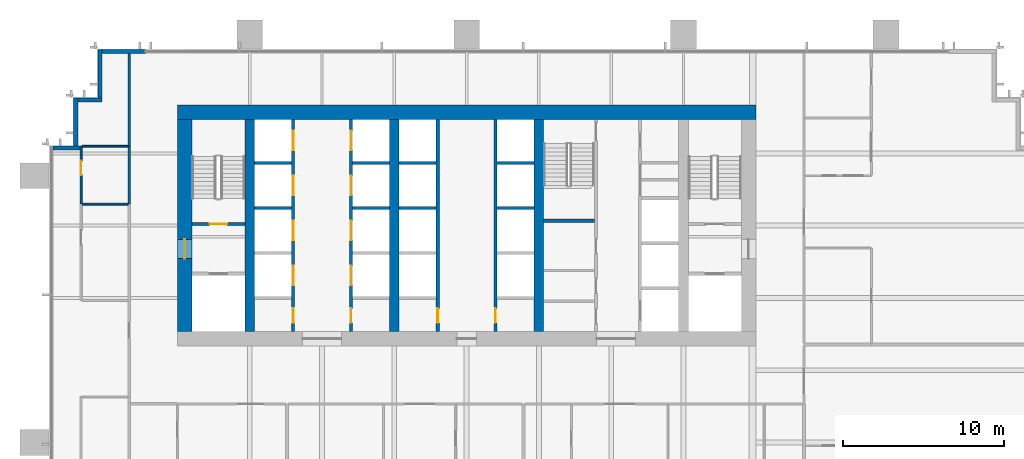
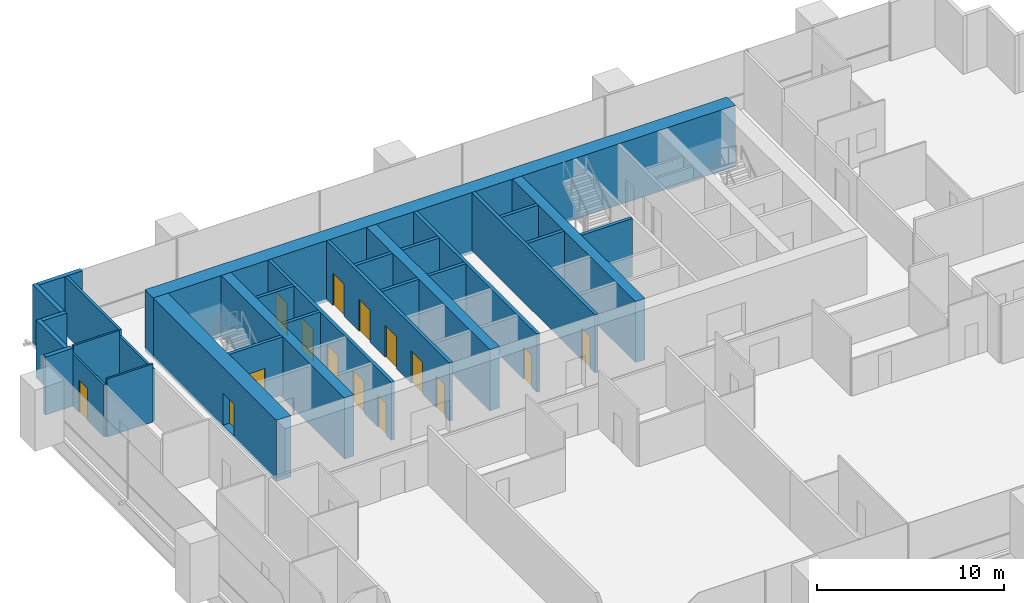
# One storey, part 14 of 17: 29 walls, 15 doors, 15 openings.
"""IFC4 building model written with IfcOpenShell, lengths in metres."""

from ifc_helpers import new_model, si_unit, direction, frame, frame_2d, origin, place, context, subcontext, project, spatial, rectangle, extrude, material, layer, layer_set, type_object, element, fill, save


model = new_model("IFC4")

# Units and contexts
model_context = context("Model", 3, precision=1e-05, world=origin(), true_north=direction((0.0, 1.0)))
body_context = subcontext(model_context, "Body", "Model", "MODEL_VIEW")
ifc_project = project(units=[si_unit("LENGTHUNIT", "METRE"), si_unit("AREAUNIT", "SQUARE_METRE"), si_unit("VOLUMEUNIT", "CUBIC_METRE"), si_unit("PLANEANGLEUNIT", "RADIAN"), si_unit("MASSUNIT", "GRAM", prefix="KILO")], contexts=[model_context])

# Site, building, storey
site_placement = place(None, origin())
site = spatial("IfcSite", under=ifc_project, at=site_placement, CompositionType="ELEMENT")
building_placement = place(site_placement, origin())
building = spatial("IfcBuilding", under=site, at=building_placement, Name="Rattan Terrace Tower", CompositionType="ELEMENT")
storey_placement = place(building_placement, frame((0.0, 0.0, 83.699951171875)))
storey = spatial("IfcBuildingStorey", under=building, at=storey_placement, Name="L18", CompositionType="ELEMENT", Elevation=83.699951171875)

# Wall, opening, door
ifc_material_1 = material(Name="Gypsum board partition")
ifc_layer_1 = layer(ifc_material_1, 0.199951171875)
ifc_layer_set_1 = layer_set([ifc_layer_1], Name="Core partition 200")
wall_type_1 = type_object("IfcWallType", Name="Core partition 200", PredefinedType="PARTITIONING", material=ifc_layer_set_1)
wall_1_placement = place(storey_placement, frame((-17.10009765625, 0.10009765625, 0.0), z_axis=(0.0, 0.0, 1.0), x_axis=(1.0, 0.0, 0.0)))
wall_1 = element("IfcWall", 1, at=wall_1_placement, inside=storey, type_object=wall_type_1, Name="Stair enclosure wall", PredefinedType="PARTITIONING", context=body_context, shape_type="SweptSolid", body=[
    extrude(rectangle(XDim=3.300048828125, YDim=0.199951171875, at=frame_2d((1.64990234375, 0.0))), origin(), (0.0, 0.0, 1.0), 3.800048828125),
])
opening_1_placement = place(wall_1_placement, frame((1.10009765625, 0.0, 0.0)))
opening_1 = element("IfcOpeningElement", 2, at=opening_1_placement, cuts=wall_1, Name="Opening L18-D002", PredefinedType="OPENING", context=body_context, shape_type="SweptSolid", body=[
    extrude(rectangle(XDim=1.10009765625, YDim=2.10009765625, at=frame_2d((0.550048828125, 1.050048828125))), frame((0.0, 0.110595703125, 0.0), z_axis=(0.0, -1.0, 0.0), x_axis=(1.0, 0.0, 0.0)), (0.0, 0.0, 1.0), 0.220947265625),
])
ifc_material_2 = material(Name="Hollow-metal fire door leaf")
door_type_1 = type_object("IfcDoorType", Name="Core stair door 1100", OperationType="NOTDEFINED", PredefinedType="DOOR", material=ifc_material_2)
door_1_placement = place(opening_1_placement, origin())
door_1 = element("IfcDoor", 3, at=door_1_placement, inside=storey, type_object=door_type_1, Name="Door L18-D002", OperationType="SINGLE_SWING_LEFT", OverallHeight=2.10009765625, OverallWidth=1.10009765625, PredefinedType="DOOR", context=body_context, shape_type="SweptSolid", body=[
    extrude(rectangle(XDim=1.10009765625, YDim=2.10009765625, at=frame_2d((0.550048828125, 1.050048828125))), frame((0.0, 0.02490234375, 0.0), z_axis=(0.0, -1.0, 0.0), x_axis=(1.0, 0.0, 0.0)), (0.0, 0.0, 1.0), 0.050048828125),
])
fill(opening_1, door_1)

# Walls
wall_2_placement = place(storey_placement, frame((4.800048828125, 0.300048828125, 0.0), z_axis=(0.0, 0.0, 1.0), x_axis=(1.0, 0.0, 0.0)))
element("IfcWall", 4, at=wall_2_placement, inside=storey, type_object=wall_type_1, Name="Stair enclosure wall", PredefinedType="PARTITIONING", context=body_context, shape_type="SweptSolid", body=[
    extrude(rectangle(XDim=3.14990234375, YDim=0.199951171875, at=frame_2d((1.574951171875, 0.0))), origin(), (0.0, 0.0, 1.0), 3.800048828125),
])
ifc_material_3 = material(Name="Concrete C70/85", Category="concrete")
ifc_layer_2 = layer(ifc_material_3, 0.89990234375)
ifc_layer_set_2 = layer_set([ifc_layer_2], Name="Core ring wall 900 C70/85")
wall_type_2 = type_object("IfcWallType", Name="Core ring wall 900 C70/85", PredefinedType="SHEAR", material=ifc_layer_set_2)
wall_3_placement = place(storey_placement, frame((-18.0, 7.050048828125, -0.199951171875), z_axis=(0.0, 0.0, 1.0), x_axis=(1.0, 0.0, 0.0)))
element("IfcWall", 5, at=wall_3_placement, inside=storey, type_object=wall_type_2, Name="Rear core wall north", PredefinedType="SHEAR", context=body_context, shape_type="SweptSolid", body=[
    extrude(rectangle(XDim=36.0, YDim=0.89990234375, at=frame_2d((18.0, 0.0))), origin(), (0.0, 0.0, 1.0), 4.0),
])

# Wall, opening, door
wall_4_placement = place(storey_placement, frame((-17.550048828125, -6.60009765625, -0.199951171875), z_axis=(0.0, 0.0, 1.0), x_axis=(0.0, 1.0, 0.0)))
wall_4 = element("IfcWall", 6, at=wall_4_placement, inside=storey, type_object=wall_type_2, Name="Rear core wall west", PredefinedType="SHEAR", context=body_context, shape_type="SweptSolid", body=[
    extrude(rectangle(XDim=13.2001953125, YDim=0.89990234375, at=frame_2d((6.60009765625, 0.0))), origin(), (0.0, 0.0, 1.0), 4.0),
])
opening_2_placement = place(wall_4_placement, frame((4.550048828125, 0.0, 0.199951171875)))
opening_2 = element("IfcOpeningElement", 7, at=opening_2_placement, cuts=wall_4, Name="Opening L18-D001", PredefinedType="OPENING", context=body_context, shape_type="SweptSolid", body=[
    extrude(rectangle(XDim=1.199951171875, YDim=2.10009765625, at=frame_2d((0.60009765625, 1.050048828125))), frame((0.0, 0.46044921875, 0.0), z_axis=(0.0, -1.0, 0.0), x_axis=(1.0, 0.0, 0.0)), (0.0, 0.0, 1.0), 0.9208984375),
])
ifc_material_4 = material(Name="Hollow-metal fire door leaf")
door_type_2 = type_object("IfcDoorType", Name="Core fire-fighting lobby door 1200", OperationType="NOTDEFINED", PredefinedType="DOOR", material=ifc_material_4)
door_2_placement = place(opening_2_placement, origin())
door_2 = element("IfcDoor", 8, at=door_2_placement, inside=storey, type_object=door_type_2, Name="Door L18-D001", OperationType="SINGLE_SWING_RIGHT", OverallHeight=2.10009765625, OverallWidth=1.199951171875, PredefinedType="DOOR", context=body_context, shape_type="SweptSolid", body=[
    extrude(rectangle(XDim=1.199951171875, YDim=2.10009765625, at=frame_2d((0.60009765625, 1.050048828125))), frame((0.0, 0.02490234375, 0.0), z_axis=(0.0, -1.0, 0.0), x_axis=(1.0, 0.0, 0.0)), (0.0, 0.0, 1.0), 0.050048828125),
])
fill(opening_2, door_2)

# Walls
ifc_material_5 = material(Name="Concrete C70/85", Category="concrete")
ifc_layer_3 = layer(ifc_material_5, 0.60009765625)
ifc_layer_set_3 = layer_set([ifc_layer_3], Name="Core spine wall 600 C70/85")
wall_type_3 = type_object("IfcWallType", Name="Core spine wall 600 C70/85", PredefinedType="SHEAR", material=ifc_layer_set_3)
for number, where, z_axis, x_axis, name in (
    (9, (-13.5, -6.60009765625, -0.199951171875), (0.0, 0.0, 1.0), (0.0, 1.0, 0.0), "Core spine wall 1"),
    (10, (-4.5, -6.60009765625, -0.199951171875), (0.0, 0.0, 1.0), (0.0, 1.0, 0.0), "Core spine wall 2"),
    (11, (4.5, -6.60009765625, -0.199951171875), (0.0, 0.0, 1.0), (0.0, 1.0, 0.0), "Core spine wall 3"),
):
    element("IfcWall", number, at=place(storey_placement, frame(where, z_axis=z_axis, x_axis=x_axis)), inside=storey, type_object=wall_type_3, Name=name, PredefinedType="SHEAR", context=body_context, shape_type="SweptSolid", body=[
        extrude(rectangle(XDim=13.2001953125, YDim=0.60009765625, at=frame_2d((6.60009765625, 0.0))), origin(), (0.0, 0.0, 1.0), 4.0),
    ])
ifc_material_6 = material(Name="Insulated aluminium-clad stud wall", Category="aluminium")
ifc_layer_4 = layer(ifc_material_6, 0.25)
ifc_layer_set_4 = layer_set([ifc_layer_4], Name="Facade Riser Wall 250")
wall_type_4 = type_object("IfcWallType", Name="Facade Riser Wall 250", PredefinedType="SOLIDWALL", material=ifc_layer_set_4)
wall_5_placement = place(storey_placement, frame((-20.0, 10.830078125, 0.0), z_axis=(0.0, 0.0, 1.0), x_axis=(-1.0, 0.0, 0.0)))
element("IfcWall", 12, at=wall_5_placement, inside=storey, type_object=wall_type_4, Name="Riser wall L18-11", PredefinedType="SOLIDWALL", context=body_context, shape_type="SweptSolid", body=[
    extrude(rectangle(XDim=2.705078125, YDim=0.25, at=frame_2d((1.3525390625, 0.0))), origin(), (0.0, 0.0, 1.0), 3.800048828125),
])
wall_6_placement = place(storey_placement, frame((-22.830078125, 10.955078125, 0.0), z_axis=(0.0, 0.0, 1.0), x_axis=(0.0, -1.0, 0.0)))
element("IfcWall", 13, at=wall_6_placement, inside=storey, type_object=wall_type_4, Name="Riser wall L18-12", PredefinedType="SOLIDWALL", context=body_context, shape_type="SweptSolid", body=[
    extrude(rectangle(XDim=3.0, YDim=0.25, at=frame_2d((1.5, 0.0))), origin(), (0.0, 0.0, 1.0), 3.800048828125),
])
wall_7_placement = place(storey_placement, frame((-22.705078125, 7.830078125, 0.0), z_axis=(0.0, 0.0, 1.0), x_axis=(-1.0, 0.0, 0.0)))
element("IfcWall", 14, at=wall_7_placement, inside=storey, type_object=wall_type_4, Name="Riser wall L18-13", PredefinedType="SOLIDWALL", context=body_context, shape_type="SweptSolid", body=[
    extrude(rectangle(XDim=1.5, YDim=0.25, at=frame_2d((0.75, 0.0))), origin(), (0.0, 0.0, 1.0), 3.800048828125),
])
wall_8_placement = place(storey_placement, frame((-24.330078125, 7.955078125, 0.0), z_axis=(0.0, 0.0, 1.0), x_axis=(0.0, -1.0, 0.0)))
element("IfcWall", 15, at=wall_8_placement, inside=storey, type_object=wall_type_4, Name="Riser wall L18-14", PredefinedType="SOLIDWALL", context=body_context, shape_type="SweptSolid", body=[
    extrude(rectangle(XDim=3.0, YDim=0.25, at=frame_2d((1.5, 0.0))), origin(), (0.0, 0.0, 1.0), 3.800048828125),
])
wall_9_placement = place(storey_placement, frame((-24.054931640625, 4.830078125, 0.0), z_axis=(0.0, 0.0, 1.0), x_axis=(-1.0, 0.0, 0.0)))
element("IfcWall", 16, at=wall_9_placement, inside=storey, type_object=wall_type_4, Name="Riser wall L18-15", PredefinedType="SOLIDWALL", context=body_context, shape_type="SweptSolid", body=[
    extrude(rectangle(XDim=1.695068359375, YDim=0.25, at=frame_2d((0.84765625, 0.0))), origin(), (0.0, 0.0, 1.0), 3.800048828125),
])
ifc_material_7 = material(Name="Gypsum board partition on steel studs, fire rated", Category="steel")
ifc_layer_5 = layer(ifc_material_7, 0.14990234375)
ifc_layer_set_5 = layer_set([ifc_layer_5], Name="Floors Tenancy Wall 150")
wall_type_5 = type_object("IfcWallType", Name="Floors Tenancy Wall 150", PredefinedType="PARTITIONING", material=ifc_layer_set_5)
wall_10_placement = place(storey_placement, frame((-21.0, 4.919921875, 0.0), z_axis=(0.0, 0.0, 1.0), x_axis=(0.0, 1.0, 0.0)))
element("IfcWall", 17, at=wall_10_placement, inside=storey, type_object=wall_type_5, Name="pt-L18-002", PredefinedType="PARTITIONING", context=body_context, shape_type="SweptSolid", body=[
    extrude(rectangle(XDim=5.820068359375, YDim=0.14990234375, at=frame_2d((2.91015625, 0.0))), origin(), (0.0, 0.0, 1.0), 3.800048828125),
])
wall_11_placement = place(storey_placement, frame((-21.0, 1.360107421875, 0.0), z_axis=(0.0, 0.0, 1.0), x_axis=(0.0, 1.0, 0.0)))
element("IfcWall", 18, at=wall_11_placement, inside=storey, type_object=wall_type_5, Name="pt-L18-005", PredefinedType="PARTITIONING", context=body_context, shape_type="SweptSolid", body=[
    extrude(rectangle(XDim=3.559814453125, YDim=0.14990234375, at=frame_2d((1.77978515625, 0.0))), origin(), (0.0, 0.0, 1.0), 3.400146484375),
])

# Wall, opening, door
ifc_material_8 = material(Name="Moisture resistant gypsum board partition on steel studs with service cavity", Category="steel")
ifc_layer_6 = layer(ifc_material_8, 0.1201171875)
ifc_layer_set_6 = layer_set([ifc_layer_6], Name="Floors Wet Wall 120")
wall_type_6 = type_object("IfcWallType", Name="Floors Wet Wall 120", PredefinedType="PARTITIONING", material=ifc_layer_set_6)
wall_12_placement = place(storey_placement, frame((-24.0, 4.93994140625, 0.0), z_axis=(0.0, 0.0, 1.0), x_axis=(0.0, -1.0, 0.0)))
wall_12 = element("IfcWall", 19, at=wall_12_placement, inside=storey, type_object=wall_type_6, Name="pt-L18-027", PredefinedType="PARTITIONING", context=body_context, shape_type="SweptSolid", body=[
    extrude(rectangle(XDim=3.579833984375, YDim=0.1201171875, at=frame_2d((1.7900390625, 0.0))), origin(), (0.0, 0.0, 1.0), 3.400146484375),
])
opening_3_placement = place(wall_12_placement, frame((0.904052734375, 0.0, 0.0)))
opening_3 = element("IfcOpeningElement", 20, at=opening_3_placement, cuts=wall_12, Name="Opening L18-D105", PredefinedType="OPENING", context=body_context, shape_type="SweptSolid", body=[
    extrude(rectangle(XDim=0.89990234375, YDim=2.10009765625, at=frame_2d((0.449951171875, 1.050048828125))), frame((0.0, 0.070556640625, 0.0), z_axis=(0.0, -1.0, 0.0), x_axis=(1.0, 0.0, 0.0)), (0.0, 0.0, 1.0), 0.14111328125),
])
ifc_material_9 = material(Name="Solid core timber door, painted", Category="wood")
door_type_3 = type_object("IfcDoorType", Name="Floors Door 900x2100", OperationType="NOTDEFINED", PredefinedType="DOOR", material=ifc_material_9)
door_3_placement = place(opening_3_placement, origin())
door_3 = element("IfcDoor", 21, at=door_3_placement, inside=storey, type_object=door_type_3, Name="d-L18-105", OperationType="SINGLE_SWING_LEFT", OverallHeight=2.10009765625, OverallWidth=0.89990234375, PredefinedType="DOOR", context=body_context, shape_type="SweptSolid", body=[
    extrude(rectangle(XDim=0.89990234375, YDim=2.10009765625, at=frame_2d((0.449951171875, 1.050048828125))), frame((0.0, 0.02490234375, 0.0), z_axis=(0.0, -1.0, 0.0), x_axis=(1.0, 0.0, 0.0)), (0.0, 0.0, 1.0), 0.050048828125),
])
fill(opening_3, door_3)

# Walls
for number, where, z_axis, x_axis, name in (
    (22, (-21.074951171875, 4.93994140625, 0.0), (0.0, 0.0, 1.0), (-1.0, 0.0, 0.0), "pt-L18-028"),
    (23, (-23.93994140625, 1.340087890625, 0.0), (0.0, 0.0, 1.0), (1.0, 0.0, 0.0), "pt-L18-036"),
):
    element("IfcWall", number, at=place(storey_placement, frame(where, z_axis=z_axis, x_axis=x_axis)), inside=storey, type_object=wall_type_6, Name=name, PredefinedType="PARTITIONING", context=body_context, shape_type="SweptSolid", body=[
        extrude(rectangle(XDim=2.864990234375, YDim=0.1201171875, at=frame_2d((1.4326171875, 0.0))), origin(), (0.0, 0.0, 1.0), 3.800048828125),
    ])

# Wall, openings, doors
ifc_material_10 = material(Name="Gypsum shaft wall system")
ifc_layer_7 = layer(ifc_material_10, 0.199951171875)
ifc_layer_set_7 = layer_set([ifc_layer_7], Name="Lift shaft wall 200")
wall_type_7 = type_object("IfcWallType", Name="Lift shaft wall 200", PredefinedType="PARTITIONING", material=ifc_layer_set_7)
wall_13_placement = place(storey_placement, frame((-10.800048828125, -6.60009765625, 0.0), z_axis=(0.0, 0.0, 1.0), x_axis=(0.0, 1.0, 0.0)))
wall_13 = element("IfcWall", 24, at=wall_13_placement, inside=storey, type_object=wall_type_7, Name="Lift shaft front wall", PredefinedType="PARTITIONING", context=body_context, shape_type="SweptSolid", body=[
    extrude(rectangle(XDim=13.2001953125, YDim=0.199951171875, at=frame_2d((6.60009765625, 0.0))), origin(), (0.0, 0.0, 1.0), 3.800048828125),
])
opening_4_placement = place(wall_13_placement, frame((0.550048828125, 0.0, 0.0)))
opening_4 = element("IfcOpeningElement", 25, at=opening_4_placement, cuts=wall_13, Name="Opening L18-D005", PredefinedType="OPENING", context=body_context, shape_type="SweptSolid", body=[
    extrude(rectangle(XDim=0.89990234375, YDim=2.10009765625, at=frame_2d((0.449951171875, 1.050048828125))), frame((0.0, 0.110595703125, 0.0), z_axis=(0.0, -1.0, 0.0), x_axis=(1.0, 0.0, 0.0)), (0.0, 0.0, 1.0), 0.220947265625),
])
opening_5_placement = place(wall_13_placement, frame((2.89990234375, 0.0, 0.0)))
opening_5 = element("IfcOpeningElement", 26, at=opening_5_placement, cuts=wall_13, Name="Opening L18-LD-LR1", PredefinedType="OPENING", context=body_context, shape_type="SweptSolid", body=[
    extrude(rectangle(XDim=1.199951171875, YDim=2.10009765625, at=frame_2d((0.60009765625, 1.050048828125))), frame((0.0, 0.110595703125, 0.0), z_axis=(0.0, -1.0, 0.0), x_axis=(1.0, 0.0, 0.0)), (0.0, 0.0, 1.0), 0.220947265625),
])
opening_6_placement = place(wall_13_placement, frame((5.699951171875, 0.0, 0.0)))
opening_6 = element("IfcOpeningElement", 27, at=opening_6_placement, cuts=wall_13, Name="Opening L18-LD-LR2", PredefinedType="OPENING", context=body_context, shape_type="SweptSolid", body=[
    extrude(rectangle(XDim=1.199951171875, YDim=2.10009765625, at=frame_2d((0.60009765625, 1.050048828125))), frame((0.0, 0.110595703125, 0.0), z_axis=(0.0, -1.0, 0.0), x_axis=(1.0, 0.0, 0.0)), (0.0, 0.0, 1.0), 0.220947265625),
])
opening_7_placement = place(wall_13_placement, frame((8.5, 0.0, 0.0)))
opening_7 = element("IfcOpeningElement", 28, at=opening_7_placement, cuts=wall_13, Name="Opening L18-LD-LR3", PredefinedType="OPENING", context=body_context, shape_type="SweptSolid", body=[
    extrude(rectangle(XDim=1.199951171875, YDim=2.10009765625, at=frame_2d((0.60009765625, 1.050048828125))), frame((0.0, 0.110595703125, 0.0), z_axis=(0.0, -1.0, 0.0), x_axis=(1.0, 0.0, 0.0)), (0.0, 0.0, 1.0), 0.220947265625),
])
opening_8_placement = place(wall_13_placement, frame((11.300048828125, 0.0, 0.0)))
opening_8 = element("IfcOpeningElement", 29, at=opening_8_placement, cuts=wall_13, Name="Opening L18-LD-LR4", PredefinedType="OPENING", context=body_context, shape_type="SweptSolid", body=[
    extrude(rectangle(XDim=1.199951171875, YDim=2.10009765625, at=frame_2d((0.60009765625, 1.050048828125))), frame((0.0, 0.110595703125, 0.0), z_axis=(0.0, -1.0, 0.0), x_axis=(1.0, 0.0, 0.0)), (0.0, 0.0, 1.0), 0.220947265625),
])
ifc_material_11 = material(Name="Brushed stainless landing door panel")
door_type_4 = type_object("IfcDoorType", Name="Core lift landing door 1200", OperationType="DOUBLE_DOOR_SLIDING", PredefinedType="DOOR", material=ifc_material_11)
door_4_placement = place(opening_5_placement, origin())
door_4 = element("IfcDoor", 30, at=door_4_placement, inside=storey, type_object=door_type_4, Name="Door L18-LD-LR1", OperationType="DOUBLE_DOOR_SLIDING", OverallHeight=2.10009765625, OverallWidth=1.199951171875, PredefinedType="DOOR", context=body_context, shape_type="SweptSolid", body=[
    extrude(rectangle(XDim=1.199951171875, YDim=2.10009765625, at=frame_2d((0.60009765625, 1.050048828125))), frame((0.0, 0.02490234375, 0.0), z_axis=(0.0, -1.0, 0.0), x_axis=(1.0, 0.0, 0.0)), (0.0, 0.0, 1.0), 0.050048828125),
])
fill(opening_5, door_4)
door_5_placement = place(opening_6_placement, origin())
door_5 = element("IfcDoor", 31, at=door_5_placement, inside=storey, type_object=door_type_4, Name="Door L18-LD-LR2", OperationType="DOUBLE_DOOR_SLIDING", OverallHeight=2.10009765625, OverallWidth=1.199951171875, PredefinedType="DOOR", context=body_context, shape_type="SweptSolid", body=[
    extrude(rectangle(XDim=1.199951171875, YDim=2.10009765625, at=frame_2d((0.60009765625, 1.050048828125))), frame((0.0, 0.02490234375, 0.0), z_axis=(0.0, -1.0, 0.0), x_axis=(1.0, 0.0, 0.0)), (0.0, 0.0, 1.0), 0.050048828125),
])
fill(opening_6, door_5)
door_6_placement = place(opening_7_placement, origin())
door_6 = element("IfcDoor", 32, at=door_6_placement, inside=storey, type_object=door_type_4, Name="Door L18-LD-LR3", OperationType="DOUBLE_DOOR_SLIDING", OverallHeight=2.10009765625, OverallWidth=1.199951171875, PredefinedType="DOOR", context=body_context, shape_type="SweptSolid", body=[
    extrude(rectangle(XDim=1.199951171875, YDim=2.10009765625, at=frame_2d((0.60009765625, 1.050048828125))), frame((0.0, 0.02490234375, 0.0), z_axis=(0.0, -1.0, 0.0), x_axis=(1.0, 0.0, 0.0)), (0.0, 0.0, 1.0), 0.050048828125),
])
fill(opening_7, door_6)
door_7_placement = place(opening_8_placement, origin())
door_7 = element("IfcDoor", 33, at=door_7_placement, inside=storey, type_object=door_type_4, Name="Door L18-LD-LR4", OperationType="DOUBLE_DOOR_SLIDING", OverallHeight=2.10009765625, OverallWidth=1.199951171875, PredefinedType="DOOR", context=body_context, shape_type="SweptSolid", body=[
    extrude(rectangle(XDim=1.199951171875, YDim=2.10009765625, at=frame_2d((0.60009765625, 1.050048828125))), frame((0.0, 0.02490234375, 0.0), z_axis=(0.0, -1.0, 0.0), x_axis=(1.0, 0.0, 0.0)), (0.0, 0.0, 1.0), 0.050048828125),
])
fill(opening_8, door_7)
ifc_material_12 = material(Name="Hollow-metal fire door leaf")
door_type_5 = type_object("IfcDoorType", Name="Core riser door 900", OperationType="NOTDEFINED", PredefinedType="DOOR", material=ifc_material_12)
door_8_placement = place(opening_4_placement, origin())
door_8 = element("IfcDoor", 34, at=door_8_placement, inside=storey, type_object=door_type_5, Name="Door L18-D005", OperationType="SINGLE_SWING_RIGHT", OverallHeight=2.10009765625, OverallWidth=0.89990234375, PredefinedType="DOOR", context=body_context, shape_type="SweptSolid", body=[
    extrude(rectangle(XDim=0.89990234375, YDim=2.10009765625, at=frame_2d((0.449951171875, 1.050048828125))), frame((0.0, 0.02490234375, 0.0), z_axis=(0.0, -1.0, 0.0), x_axis=(1.0, 0.0, 0.0)), (0.0, 0.0, 1.0), 0.050048828125),
])
fill(opening_4, door_8)

wall_14_placement = place(storey_placement, frame((-7.199951171875, -6.60009765625, 0.0), z_axis=(0.0, 0.0, 1.0), x_axis=(0.0, 1.0, 0.0)))
wall_14 = element("IfcWall", 35, at=wall_14_placement, inside=storey, type_object=wall_type_7, Name="Lift shaft front wall", PredefinedType="PARTITIONING", context=body_context, shape_type="SweptSolid", body=[
    extrude(rectangle(XDim=13.2001953125, YDim=0.199951171875, at=frame_2d((6.60009765625, 0.0))), origin(), (0.0, 0.0, 1.0), 3.800048828125),
])
opening_9_placement = place(wall_14_placement, frame((0.550048828125, 0.0, 0.0)))
opening_9 = element("IfcOpeningElement", 36, at=opening_9_placement, cuts=wall_14, Name="Opening L18-D006", PredefinedType="OPENING", context=body_context, shape_type="SweptSolid", body=[
    extrude(rectangle(XDim=0.89990234375, YDim=2.10009765625, at=frame_2d((0.449951171875, 1.050048828125))), frame((0.0, 0.110595703125, 0.0), z_axis=(0.0, -1.0, 0.0), x_axis=(1.0, 0.0, 0.0)), (0.0, 0.0, 1.0), 0.220947265625),
])
opening_10_placement = place(wall_14_placement, frame((2.89990234375, 0.0, 0.0)))
opening_10 = element("IfcOpeningElement", 37, at=opening_10_placement, cuts=wall_14, Name="Opening L18-LD-LR5", PredefinedType="OPENING", context=body_context, shape_type="SweptSolid", body=[
    extrude(rectangle(XDim=1.199951171875, YDim=2.10009765625, at=frame_2d((0.60009765625, 1.050048828125))), frame((0.0, 0.110595703125, 0.0), z_axis=(0.0, -1.0, 0.0), x_axis=(1.0, 0.0, 0.0)), (0.0, 0.0, 1.0), 0.220947265625),
])
opening_11_placement = place(wall_14_placement, frame((5.699951171875, 0.0, 0.0)))
opening_11 = element("IfcOpeningElement", 38, at=opening_11_placement, cuts=wall_14, Name="Opening L18-LD-LR6", PredefinedType="OPENING", context=body_context, shape_type="SweptSolid", body=[
    extrude(rectangle(XDim=1.199951171875, YDim=2.10009765625, at=frame_2d((0.60009765625, 1.050048828125))), frame((0.0, 0.110595703125, 0.0), z_axis=(0.0, -1.0, 0.0), x_axis=(1.0, 0.0, 0.0)), (0.0, 0.0, 1.0), 0.220947265625),
])
opening_12_placement = place(wall_14_placement, frame((8.5, 0.0, 0.0)))
opening_12 = element("IfcOpeningElement", 39, at=opening_12_placement, cuts=wall_14, Name="Opening L18-LD-LR7", PredefinedType="OPENING", context=body_context, shape_type="SweptSolid", body=[
    extrude(rectangle(XDim=1.199951171875, YDim=2.10009765625, at=frame_2d((0.60009765625, 1.050048828125))), frame((0.0, 0.110595703125, 0.0), z_axis=(0.0, -1.0, 0.0), x_axis=(1.0, 0.0, 0.0)), (0.0, 0.0, 1.0), 0.220947265625),
])
opening_13_placement = place(wall_14_placement, frame((11.300048828125, 0.0, 0.0)))
opening_13 = element("IfcOpeningElement", 40, at=opening_13_placement, cuts=wall_14, Name="Opening L18-LD-LR8", PredefinedType="OPENING", context=body_context, shape_type="SweptSolid", body=[
    extrude(rectangle(XDim=1.199951171875, YDim=2.10009765625, at=frame_2d((0.60009765625, 1.050048828125))), frame((0.0, 0.110595703125, 0.0), z_axis=(0.0, -1.0, 0.0), x_axis=(1.0, 0.0, 0.0)), (0.0, 0.0, 1.0), 0.220947265625),
])
door_9_placement = place(opening_10_placement, origin())
door_9 = element("IfcDoor", 41, at=door_9_placement, inside=storey, type_object=door_type_4, Name="Door L18-LD-LR5", OperationType="DOUBLE_DOOR_SLIDING", OverallHeight=2.10009765625, OverallWidth=1.199951171875, PredefinedType="DOOR", context=body_context, shape_type="SweptSolid", body=[
    extrude(rectangle(XDim=1.199951171875, YDim=2.10009765625, at=frame_2d((0.60009765625, 1.050048828125))), frame((0.0, 0.02490234375, 0.0), z_axis=(0.0, -1.0, 0.0), x_axis=(1.0, 0.0, 0.0)), (0.0, 0.0, 1.0), 0.050048828125),
])
fill(opening_10, door_9)
door_10_placement = place(opening_11_placement, origin())
door_10 = element("IfcDoor", 42, at=door_10_placement, inside=storey, type_object=door_type_4, Name="Door L18-LD-LR6", OperationType="DOUBLE_DOOR_SLIDING", OverallHeight=2.10009765625, OverallWidth=1.199951171875, PredefinedType="DOOR", context=body_context, shape_type="SweptSolid", body=[
    extrude(rectangle(XDim=1.199951171875, YDim=2.10009765625, at=frame_2d((0.60009765625, 1.050048828125))), frame((0.0, 0.02490234375, 0.0), z_axis=(0.0, -1.0, 0.0), x_axis=(1.0, 0.0, 0.0)), (0.0, 0.0, 1.0), 0.050048828125),
])
fill(opening_11, door_10)
door_11_placement = place(opening_12_placement, origin())
door_11 = element("IfcDoor", 43, at=door_11_placement, inside=storey, type_object=door_type_4, Name="Door L18-LD-LR7", OperationType="DOUBLE_DOOR_SLIDING", OverallHeight=2.10009765625, OverallWidth=1.199951171875, PredefinedType="DOOR", context=body_context, shape_type="SweptSolid", body=[
    extrude(rectangle(XDim=1.199951171875, YDim=2.10009765625, at=frame_2d((0.60009765625, 1.050048828125))), frame((0.0, 0.02490234375, 0.0), z_axis=(0.0, -1.0, 0.0), x_axis=(1.0, 0.0, 0.0)), (0.0, 0.0, 1.0), 0.050048828125),
])
fill(opening_12, door_11)
door_12_placement = place(opening_13_placement, origin())
door_12 = element("IfcDoor", 44, at=door_12_placement, inside=storey, type_object=door_type_4, Name="Door L18-LD-LR8", OperationType="DOUBLE_DOOR_SLIDING", OverallHeight=2.10009765625, OverallWidth=1.199951171875, PredefinedType="DOOR", context=body_context, shape_type="SweptSolid", body=[
    extrude(rectangle(XDim=1.199951171875, YDim=2.10009765625, at=frame_2d((0.60009765625, 1.050048828125))), frame((0.0, 0.02490234375, 0.0), z_axis=(0.0, -1.0, 0.0), x_axis=(1.0, 0.0, 0.0)), (0.0, 0.0, 1.0), 0.050048828125),
])
fill(opening_13, door_12)
door_13_placement = place(opening_9_placement, origin())
door_13 = element("IfcDoor", 45, at=door_13_placement, inside=storey, type_object=door_type_5, Name="Door L18-D006", OperationType="SINGLE_SWING_LEFT", OverallHeight=2.10009765625, OverallWidth=0.89990234375, PredefinedType="DOOR", context=body_context, shape_type="SweptSolid", body=[
    extrude(rectangle(XDim=0.89990234375, YDim=2.10009765625, at=frame_2d((0.449951171875, 1.050048828125))), frame((0.0, 0.02490234375, 0.0), z_axis=(0.0, -1.0, 0.0), x_axis=(1.0, 0.0, 0.0)), (0.0, 0.0, 1.0), 0.050048828125),
])
fill(opening_9, door_13)

# Walls
for number, where, z_axis, x_axis, name in (
    (46, (-13.199951171875, 1.10009765625, 0.0), (0.0, 0.0, 1.0), (1.0, 0.0, 0.0), "Lift shaft wall"),
    (47, (-13.199951171875, 3.89990234375, 0.0), (0.0, 0.0, 1.0), (1.0, 0.0, 0.0), "Lift shaft wall"),
    (48, (-7.10009765625, 1.10009765625, 0.0), (0.0, 0.0, 1.0), (1.0, 0.0, 0.0), "Lift shaft wall"),
    (49, (-7.10009765625, 3.89990234375, 0.0), (0.0, 0.0, 1.0), (1.0, 0.0, 0.0), "Lift shaft wall"),
):
    element("IfcWall", number, at=place(storey_placement, frame(where, z_axis=z_axis, x_axis=x_axis)), inside=storey, type_object=wall_type_7, Name=name, PredefinedType="PARTITIONING", context=body_context, shape_type="SweptSolid", body=[
        extrude(rectangle(XDim=2.300048828125, YDim=0.199951171875, at=frame_2d((1.14990234375, 0.0))), origin(), (0.0, 0.0, 1.0), 3.800048828125),
    ])

# Wall, opening, door
wall_15_placement = place(storey_placement, frame((-1.800048828125, -6.60009765625, 0.0), z_axis=(0.0, 0.0, 1.0), x_axis=(0.0, 1.0, 0.0)))
wall_15 = element("IfcWall", 50, at=wall_15_placement, inside=storey, type_object=wall_type_7, Name="Lift shaft front wall", PredefinedType="PARTITIONING", context=body_context, shape_type="SweptSolid", body=[
    extrude(rectangle(XDim=13.2001953125, YDim=0.199951171875, at=frame_2d((6.60009765625, 0.0))), origin(), (0.0, 0.0, 1.0), 3.800048828125),
])
opening_14_placement = place(wall_15_placement, frame((0.550048828125, 0.0, 0.0)))
opening_14 = element("IfcOpeningElement", 51, at=opening_14_placement, cuts=wall_15, Name="Opening L18-D008", PredefinedType="OPENING", context=body_context, shape_type="SweptSolid", body=[
    extrude(rectangle(XDim=0.89990234375, YDim=2.10009765625, at=frame_2d((0.449951171875, 1.050048828125))), frame((0.0, 0.110595703125, 0.0), z_axis=(0.0, -1.0, 0.0), x_axis=(1.0, 0.0, 0.0)), (0.0, 0.0, 1.0), 0.220947265625),
])
door_14_placement = place(opening_14_placement, origin())
door_14 = element("IfcDoor", 52, at=door_14_placement, inside=storey, type_object=door_type_5, Name="Door L18-D008", OperationType="SINGLE_SWING_RIGHT", OverallHeight=2.10009765625, OverallWidth=0.89990234375, PredefinedType="DOOR", context=body_context, shape_type="SweptSolid", body=[
    extrude(rectangle(XDim=0.89990234375, YDim=2.10009765625, at=frame_2d((0.449951171875, 1.050048828125))), frame((0.0, 0.02490234375, 0.0), z_axis=(0.0, -1.0, 0.0), x_axis=(1.0, 0.0, 0.0)), (0.0, 0.0, 1.0), 0.050048828125),
])
fill(opening_14, door_14)

wall_16_placement = place(storey_placement, frame((1.800048828125, -6.60009765625, 0.0), z_axis=(0.0, 0.0, 1.0), x_axis=(0.0, 1.0, 0.0)))
wall_16 = element("IfcWall", 53, at=wall_16_placement, inside=storey, type_object=wall_type_7, Name="Lift shaft front wall", PredefinedType="PARTITIONING", context=body_context, shape_type="SweptSolid", body=[
    extrude(rectangle(XDim=13.2001953125, YDim=0.199951171875, at=frame_2d((6.60009765625, 0.0))), origin(), (0.0, 0.0, 1.0), 3.800048828125),
])
opening_15_placement = place(wall_16_placement, frame((0.550048828125, 0.0, 0.0)))
opening_15 = element("IfcOpeningElement", 54, at=opening_15_placement, cuts=wall_16, Name="Opening L18-D009", PredefinedType="OPENING", context=body_context, shape_type="SweptSolid", body=[
    extrude(rectangle(XDim=0.89990234375, YDim=2.10009765625, at=frame_2d((0.449951171875, 1.050048828125))), frame((0.0, 0.110595703125, 0.0), z_axis=(0.0, -1.0, 0.0), x_axis=(1.0, 0.0, 0.0)), (0.0, 0.0, 1.0), 0.220947265625),
])
door_15_placement = place(opening_15_placement, origin())
door_15 = element("IfcDoor", 55, at=door_15_placement, inside=storey, type_object=door_type_5, Name="Door L18-D009", OperationType="SINGLE_SWING_LEFT", OverallHeight=2.10009765625, OverallWidth=0.89990234375, PredefinedType="DOOR", context=body_context, shape_type="SweptSolid", body=[
    extrude(rectangle(XDim=0.89990234375, YDim=2.10009765625, at=frame_2d((0.449951171875, 1.050048828125))), frame((0.0, 0.02490234375, 0.0), z_axis=(0.0, -1.0, 0.0), x_axis=(1.0, 0.0, 0.0)), (0.0, 0.0, 1.0), 0.050048828125),
])
fill(opening_15, door_15)

# Walls
for number, where, z_axis, x_axis, name in (
    (56, (-4.199951171875, 1.10009765625, 0.0), (0.0, 0.0, 1.0), (1.0, 0.0, 0.0), "Lift shaft wall"),
    (57, (-4.199951171875, 3.89990234375, 0.0), (0.0, 0.0, 1.0), (1.0, 0.0, 0.0), "Lift shaft wall"),
    (58, (1.89990234375, 1.10009765625, 0.0), (0.0, 0.0, 1.0), (1.0, 0.0, 0.0), "Lift shaft wall"),
    (59, (1.89990234375, 3.89990234375, 0.0), (0.0, 0.0, 1.0), (1.0, 0.0, 0.0), "Lift shaft wall"),
):
    element("IfcWall", number, at=place(storey_placement, frame(where, z_axis=z_axis, x_axis=x_axis)), inside=storey, type_object=wall_type_7, Name=name, PredefinedType="PARTITIONING", context=body_context, shape_type="SweptSolid", body=[
        extrude(rectangle(XDim=2.300048828125, YDim=0.199951171875, at=frame_2d((1.14990234375, 0.0))), origin(), (0.0, 0.0, 1.0), 3.800048828125),
    ])

save(model, "model.ifc")
